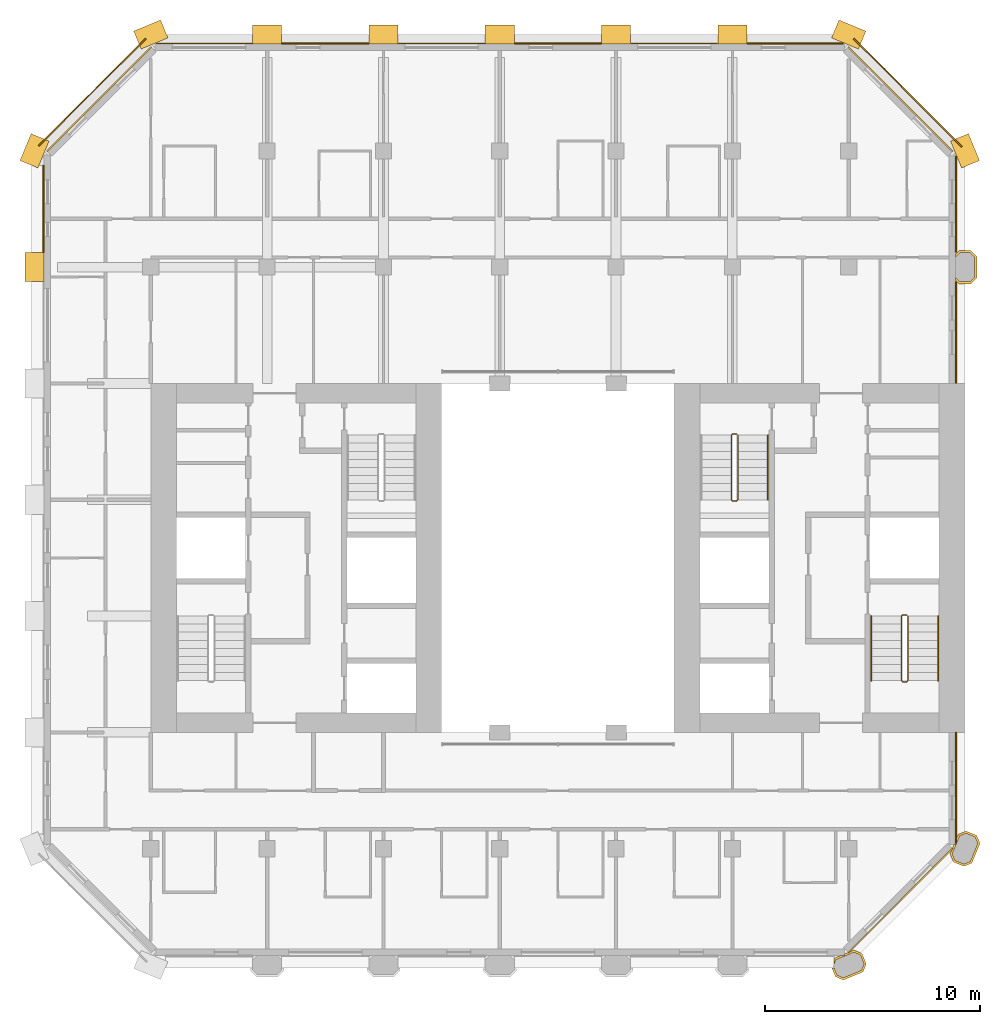
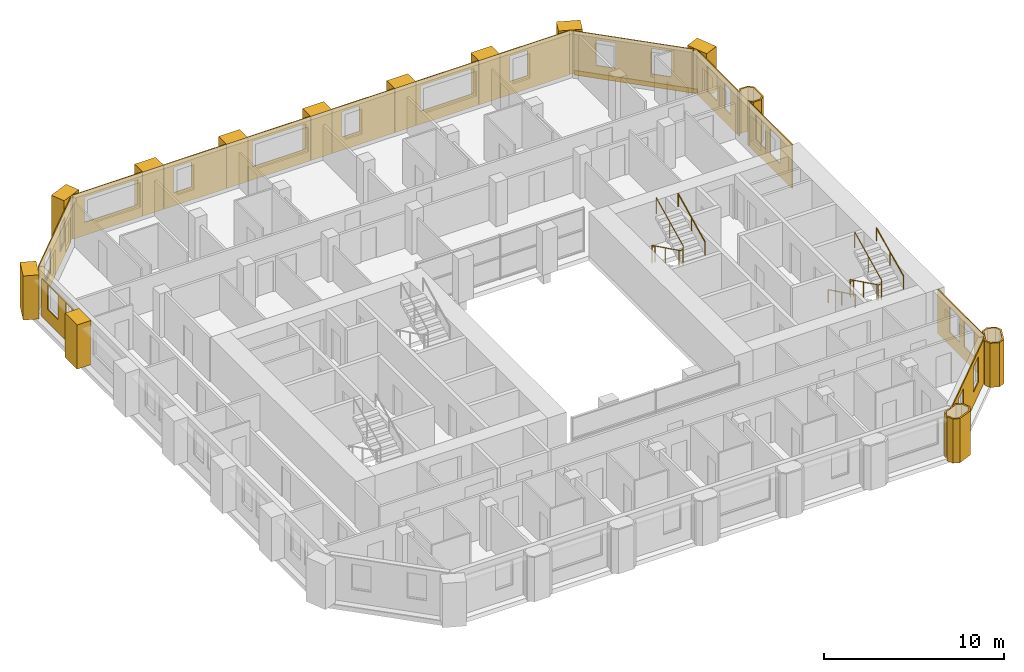
# One storey, part 13 of 13: 28 coverings, 5 railings.
"""IFC4 building model written with IfcOpenShell, lengths in metres."""

from ifc_helpers import new_model, si_unit, direction, frame, frame_2d, origin, origin_2d, place, context, subcontext, project, spatial, polyline, rectangle, circle, outline, extrude, material, layer, layer_set, type_object, element, save


model = new_model("IFC4")

# Units and contexts
model_context = context("Model", 3, precision=1e-05, world=origin(), true_north=direction((0.0, 1.0)))
body_context = subcontext(model_context, "Body", "Model", "MODEL_VIEW")
ifc_project = project(units=[si_unit("LENGTHUNIT", "METRE"), si_unit("AREAUNIT", "SQUARE_METRE"), si_unit("VOLUMEUNIT", "CUBIC_METRE"), si_unit("PLANEANGLEUNIT", "RADIAN"), si_unit("MASSUNIT", "GRAM", prefix="KILO")], contexts=[model_context])

# Site, building, storey
site_placement = place(None, origin())
site = spatial("IfcSite", under=ifc_project, at=site_placement, CompositionType="ELEMENT")
building_placement = place(site_placement, origin())
building = spatial("IfcBuilding", under=site, at=building_placement, Name="Tabaq Tower and Sports Hall", CompositionType="ELEMENT")
storey_placement = place(building_placement, frame((0.0, 0.0, 210.39990234375)))
storey = spatial("IfcBuildingStorey", under=building, at=storey_placement, Name="L52", CompositionType="ELEMENT", Elevation=210.39990234375)

# Coverings
ifc_material_1 = material(Name="Precast concrete C60/75", Category="concrete")
ifc_layer_1 = layer(ifc_material_1, 0.10009765625)
ifc_layer_set_1 = layer_set([ifc_layer_1], Name="Column cladding 100")
covering_type_1 = type_object("IfcCoveringType", Name="Column cladding 100", PredefinedType="CLADDING", material=ifc_layer_set_1)
covering_1_placement = place(storey_placement, origin())
element("IfcCovering", 1, at=covering_1_placement, inside=storey, type_object=covering_type_1, Name="Column cladding L52 PC-8B-H3", PredefinedType="CLADDING", context=body_context, shape_type="SweptSolid", body=[
    extrude(outline(polyline([(37.023681640625, 5.249755859375), (37.125244140625, 5.249755859375), (37.125244140625, 5.26416015625), (37.26220703125, 4.93359375), (37.556396484375, 4.811767578125), (38.38818359375, 5.15625), (38.510009765625, 5.450439453125), (38.337646484375, 5.866455078125), (38.04345703125, 5.98828125), (37.2119140625, 5.643798828125), (37.125244140625, 5.434814453125), (37.125244140625, 5.694580078125), (37.1357421875, 5.7197265625), (37.44921875, 5.849609375), (37.614013671875, 5.849609375), (37.614013671875, 5.91796875), (37.767578125, 5.9814453125), (37.799072265625, 5.9501953125), (37.875, 6.026123046875), (38.04345703125, 6.095947265625), (38.413818359375, 5.9423828125), (38.61767578125, 5.450439453125), (38.46435546875, 5.080078125), (37.556396484375, 4.7041015625), (37.186279296875, 4.857421875), (37.023681640625, 5.249755859375)])), origin(), (0.0, 0.0, 1.0), 3.0),
])
covering_2_placement = place(storey_placement, origin())
element("IfcCovering", 2, at=covering_2_placement, inside=storey, type_object=covering_type_1, Name="Column cladding L52 PC-9C-H3", PredefinedType="CLADDING", context=body_context, shape_type="SweptSolid", body=[
    extrude(outline(polyline([(42.657470703125, 10.186279296875), (42.504150390625, 10.556396484375), (42.573974609375, 10.72509765625), (42.64990234375, 10.801025390625), (42.618408203125, 10.83251953125), (42.68212890625, 10.986083984375), (42.750244140625, 10.986083984375), (42.750244140625, 11.04296875), (42.810302734375, 11.04296875), (42.810302734375, 11.295654296875), (42.880126953125, 11.46435546875), (43.25048828125, 11.61767578125), (43.742431640625, 11.413818359375), (43.895751953125, 11.04345703125), (43.519775390625, 10.1357421875), (43.149658203125, 9.982421875), (42.657470703125, 10.186279296875)]), holes=[polyline([(43.66650390625, 11.337646484375), (43.25048828125, 11.510009765625), (42.956298828125, 11.38818359375), (42.61181640625, 10.556396484375), (42.733642578125, 10.26220703125), (43.149658203125, 10.08984375), (43.44384765625, 10.2119140625), (43.788330078125, 11.04345703125), (43.66650390625, 11.337646484375)])]), origin(), (0.0, 0.0, 1.0), 3.0),
])
covering_3_placement = place(storey_placement, origin())
element("IfcCovering", 3, at=covering_3_placement, inside=storey, type_object=covering_type_1, Name="Column cladding L52 PC-9H-H3", PredefinedType="CLADDING", context=body_context, shape_type="SweptSolid", body=[
    extrude(outline(polyline([(42.93359375, 37.025390625), (42.750244140625, 37.208740234375), (42.750244140625, 37.349365234375), (42.974853515625, 37.124755859375), (43.425048828125, 37.124755859375), (43.650390625, 37.349853515625), (43.650390625, 38.250244140625), (43.425048828125, 38.475341796875), (42.974853515625, 38.475341796875), (42.750244140625, 38.250732421875), (42.750244140625, 38.391357421875), (42.93359375, 38.57470703125), (43.46630859375, 38.57470703125), (43.749755859375, 38.291259765625), (43.749755859375, 37.30859375), (43.46630859375, 37.025390625), (42.93359375, 37.025390625)])), origin(), (0.0, 0.0, 1.0), 3.0),
])
ifc_material_2 = material(Name="Precast concrete C60/75", Category="concrete")
ifc_layer_2 = layer(ifc_material_2, 0.06005859375)
ifc_layer_set_2 = layer_set([ifc_layer_2], Name="Edge beam cladding 60")
covering_type_2 = type_object("IfcCoveringType", Name="Edge beam cladding 60", PredefinedType="CLADDING", material=ifc_layer_set_2)
covering_4_placement = place(storey_placement, frame((43.04443359375, 43.39794921875, -0.2998046875), z_axis=(0.0, 0.0, 1.0), x_axis=(-0.707106781187, 0.707106781187, 0.0)))
element("IfcCovering", 4, at=covering_4_placement, inside=storey, type_object=covering_type_2, Name="Edge beam cladding L52 1", PredefinedType="CLADDING", context=body_context, shape_type="SweptSolid", body=[
    extrude(rectangle(XDim=7.08837890625, YDim=0.06005859375, at=frame_2d((3.544189453125, 0.0))), origin(), (0.0, 0.0, 1.0), 0.2998046875),
])
covering_5_placement = place(storey_placement, frame((5.167724609375, 48.41015625, -0.2998046875), z_axis=(0.0, 0.0, 1.0), x_axis=(-0.707106781187, -0.707106781187, 0.0)))
element("IfcCovering", 5, at=covering_5_placement, inside=storey, type_object=covering_type_2, Name="Edge beam cladding L52 3", PredefinedType="CLADDING", context=body_context, shape_type="SweptSolid", body=[
    extrude(rectangle(XDim=7.03955078125, YDim=0.06005859375, at=frame_2d((3.519775390625, 0.0))), origin(), (0.0, 0.0, 1.0), 0.2998046875),
])
ifc_material_3 = material(Name="White precast concrete C60/75", Category="concrete")
covering_type_3 = type_object("IfcCoveringType", Name="Pier cladding hung 1350x900", PredefinedType="CLADDING", material=ifc_material_3)
for number, where, z_axis, x_axis, name in (
    (6, (0.0, 38.47509765625, 0.0), (0.0, 0.0, 1.0), (0.0, -1.0, 0.0), "Hung pier cladding 0/7"),
    (7, (0.25830078125, 43.82373046875, 0.0), (0.0, 0.0, 1.0), (-0.382649923473, -0.923893411637, 0.0), "Hung pier cladding 0/8"),
    (8, (6.023681640625, 48.8583984375, 0.0), (0.0, 0.0, 1.0), (-0.923893411637, -0.382649923473, 0.0), "Hung pier cladding 1/9"),
    (9, (11.47509765625, 48.60009765625, 0.0), (0.0, 0.0, 1.0), (-1.0, 0.0, 0.0), "Hung pier cladding 2/9"),
    (10, (16.875, 48.60009765625, 0.0), (0.0, 0.0, 1.0), (-1.0, 0.0, 0.0), "Hung pier cladding 3/9"),
):
    element("IfcCovering", number, at=place(storey_placement, frame(where, z_axis=z_axis, x_axis=x_axis)), inside=storey, type_object=covering_type_3, Name=name, PredefinedType="CLADDING", context=body_context, shape_type="SweptSolid", body=[
        extrude(rectangle(XDim=1.35009765625, YDim=0.89990234375, at=frame_2d((0.675048828125, 0.0))), origin(), (0.0, 0.0, 1.0), 3.0),
    ])
covering_6_placement = place(storey_placement, frame((22.27490234375, 48.60009765625, 0.0), z_axis=(0.0, 0.0, 1.0), x_axis=(-1.0, 0.0, 0.0)))
element("IfcCovering", 11, at=covering_6_placement, inside=storey, type_object=covering_type_3, Name="Hung pier cladding 4/9", PredefinedType="CLADDING", context=body_context, shape_type="SweptSolid", body=[
    extrude(rectangle(XDim=1.349853515625, YDim=0.89990234375, at=frame_2d((0.6748046875, 0.0))), origin(), (0.0, 0.0, 1.0), 3.0),
])
covering_7_placement = place(storey_placement, frame((27.675048828125, 48.60009765625, 0.0), z_axis=(0.0, 0.0, 1.0), x_axis=(-1.0, 0.0, 0.0)))
element("IfcCovering", 12, at=covering_7_placement, inside=storey, type_object=covering_type_3, Name="Hung pier cladding 5/9", PredefinedType="CLADDING", context=body_context, shape_type="SweptSolid", body=[
    extrude(rectangle(XDim=1.35009765625, YDim=0.89990234375, at=frame_2d((0.675048828125, 0.0))), origin(), (0.0, 0.0, 1.0), 3.0),
])
covering_8_placement = place(storey_placement, frame((33.074951171875, 48.60009765625, 0.0), z_axis=(0.0, 0.0, 1.0), x_axis=(-1.0, 0.0, 0.0)))
element("IfcCovering", 13, at=covering_8_placement, inside=storey, type_object=covering_type_3, Name="Hung pier cladding 6/9", PredefinedType="CLADDING", context=body_context, shape_type="SweptSolid", body=[
    extrude(rectangle(XDim=1.349853515625, YDim=0.89990234375, at=frame_2d((0.6748046875, 0.0))), origin(), (0.0, 0.0, 1.0), 3.0),
])
for number, where, z_axis, x_axis, name in (
    (14, (38.423583984375, 48.341796875, 0.0), (0.0, 0.0, 1.0), (-0.923893411637, 0.382649923473, 0.0), "Hung pier cladding 7/9"),
    (15, (43.458251953125, 42.576416015625, 0.0), (0.0, 0.0, 1.0), (-0.382649923473, 0.923893411637, 0.0), "Hung pier cladding 8/8"),
):
    element("IfcCovering", number, at=place(storey_placement, frame(where, z_axis=z_axis, x_axis=x_axis)), inside=storey, type_object=covering_type_3, Name=name, PredefinedType="CLADDING", context=body_context, shape_type="SweptSolid", body=[
        extrude(rectangle(XDim=1.35009765625, YDim=0.89990234375, at=frame_2d((0.675048828125, 0.0))), origin(), (0.0, 0.0, 1.0), 3.0),
    ])

# Railings
ifc_material_4 = material(Name="Stainless steel", Category="steel")
railing_type_1 = type_object("IfcRailingType", Name="Stair guard", PredefinedType="GUARDRAIL", material=ifc_material_4)
railing_1_placement = place(storey_placement, frame((40.5, 21.64990234375, 0.0)))
element("IfcRailing", 16, at=railing_1_placement, inside=storey, type_object=railing_type_1, Name="L52 ST3 stair guard 1", PredefinedType="GUARDRAIL", context=body_context, shape_type="SweptSolid", body=[
    extrude(circle(Radius=0.02392578125, at=origin_2d()), frame((0.0, 0.0, 1.076171875), z_axis=(-1.0, 0.0, 0.0), x_axis=(0.0, -1.0, 0.0)), (0.0, 0.0, 1.0), 0.199951171875),
    extrude(circle(Radius=0.02392578125, at=origin_2d()), frame((-0.199951171875, 0.0, 1.076171875), z_axis=(-0.254733673405, -0.25349107012, 0.933195066962), x_axis=(0.705375805398, -0.708833529934, 0.0)), (0.0, 0.0, 1.0), 0.196533203125),
    extrude(circle(Radius=0.02392578125, at=origin_2d()), frame((-0.25, -0.0498046875, 1.25927734375), z_axis=(0.0, -0.898368975038, 0.439241601728), x_axis=(1.0, 0.0, 0.0)), (0.0, 0.0, 1.0), 3.33935546875),
    extrude(circle(Radius=0.02392578125, at=origin_2d()), frame((-0.25, -3.0498046875, 2.72607421875), z_axis=(0.707106781187, -0.707106781187, 0.0), x_axis=(0.707106781187, 0.707106781187, 0.0)), (0.0, 0.0, 1.0), 0.07080078125),
    extrude(circle(Radius=0.02392578125, at=origin_2d()), frame((-0.199951171875, -3.099853515625, 2.72607421875), z_axis=(1.0, 0.0, 0.0), x_axis=(0.0, 1.0, 0.0)), (0.0, 0.0, 1.0), 0.199951171875),
    extrude(circle(Radius=0.02392578125, at=origin_2d()), frame((0.0, -3.099853515625, 2.72607421875), z_axis=(0.254653276557, 0.254653276557, 0.932900539971), x_axis=(-0.707106781187, 0.707106781187, 0.0)), (0.0, 0.0, 1.0), 0.196533203125),
    extrude(circle(Radius=0.02392578125, at=origin_2d()), frame((0.050048828125, -3.0498046875, 2.90966796875), z_axis=(0.0, 0.898397823093, 0.439182594671), x_axis=(-1.0, 0.0, 0.0)), (0.0, 0.0, 1.0), 3.33935546875),
    extrude(circle(Radius=0.02099609375, at=origin_2d()), origin(), (0.0, 0.0, 1.0), 1.052001953125),
    extrude(circle(Radius=0.02099609375, at=origin_2d()), frame((-0.199951171875, 0.0, 0.0)), (0.0, 0.0, 1.0), 1.052001953125),
    extrude(circle(Radius=0.02099609375, at=origin_2d()), frame((-0.25, -0.0498046875, 0.183349609375)), (0.0, 0.0, 1.0), 1.052001953125),
    extrude(circle(Radius=0.02099609375, at=origin_2d()), frame((-0.25, -1.5498046875, 0.916748046875)), (0.0, 0.0, 1.0), 1.052001953125),
    extrude(circle(Radius=0.02099609375, at=origin_2d()), frame((-0.25, -3.0498046875, 1.650146484375)), (0.0, 0.0, 1.0), 1.052001953125),
    extrude(circle(Radius=0.02099609375, at=origin_2d()), frame((-0.199951171875, -3.099853515625, 1.650146484375)), (0.0, 0.0, 1.0), 1.052001953125),
    extrude(circle(Radius=0.02099609375, at=origin_2d()), frame((0.0, -3.099853515625, 1.650146484375)), (0.0, 0.0, 1.0), 1.052001953125),
    extrude(circle(Radius=0.02099609375, at=origin_2d()), frame((0.050048828125, -3.0498046875, 1.83349609375)), (0.0, 0.0, 1.0), 1.052001953125),
    extrude(circle(Radius=0.02099609375, at=origin_2d()), frame((0.050048828125, -1.5498046875, 2.56689453125)), (0.0, 0.0, 1.0), 1.052001953125),
    extrude(circle(Radius=0.02099609375, at=origin_2d()), frame((0.050048828125, -0.0498046875, 3.300048828125)), (0.0, 0.0, 1.0), 1.052001953125),
])
railing_2_placement = place(storey_placement, frame((32.60009765625, 30.050048828125, 0.0)))
element("IfcRailing", 17, at=railing_2_placement, inside=storey, type_object=railing_type_1, Name="L52 ST4 stair guard 1", PredefinedType="GUARDRAIL", context=body_context, shape_type="SweptSolid", body=[
    extrude(circle(Radius=0.02392578125, at=origin_2d()), frame((0.0, 0.0, 1.076171875), z_axis=(-1.0, 0.0, 0.0), x_axis=(0.0, -1.0, 0.0)), (0.0, 0.0, 1.0), 0.2001953125),
    extrude(circle(Radius=0.02392578125, at=origin_2d()), frame((-0.2001953125, 0.0, 1.076171875), z_axis=(-0.25349107012, -0.254733673405, 0.933195066962), x_axis=(0.708833529934, -0.705375805398, 0.0)), (0.0, 0.0, 1.0), 0.196533203125),
    extrude(circle(Radius=0.02392578125, at=origin_2d()), frame((-0.25, -0.050048828125, 1.25927734375), z_axis=(0.0, -0.898368975038, 0.439241601728), x_axis=(1.0, 0.0, 0.0)), (0.0, 0.0, 1.0), 3.33935546875),
    extrude(circle(Radius=0.02392578125, at=origin_2d()), frame((-0.25, -3.050048828125, 2.72607421875), z_axis=(0.705375805398, -0.708833529934, 0.0), x_axis=(0.708833529934, 0.705375805398, 0.0)), (0.0, 0.0, 1.0), 0.070556640625),
    extrude(circle(Radius=0.02392578125, at=origin_2d()), frame((-0.2001953125, -3.10009765625, 2.72607421875), z_axis=(1.0, 0.0, 0.0), x_axis=(0.0, 1.0, 0.0)), (0.0, 0.0, 1.0), 0.2001953125),
    extrude(circle(Radius=0.02392578125, at=origin_2d()), frame((0.0, -3.10009765625, 2.72607421875), z_axis=(0.25349107012, 0.254733673405, 0.933195066962), x_axis=(-0.708833529934, 0.705375805398, 0.0)), (0.0, 0.0, 1.0), 0.196533203125),
    extrude(circle(Radius=0.02392578125, at=origin_2d()), frame((0.0498046875, -3.050048828125, 2.90966796875), z_axis=(0.0, 0.898397823093, 0.439182594671), x_axis=(-1.0, 0.0, 0.0)), (0.0, 0.0, 1.0), 3.33935546875),
    extrude(circle(Radius=0.02099609375, at=origin_2d()), origin(), (0.0, 0.0, 1.0), 1.052001953125),
    extrude(circle(Radius=0.02099609375, at=origin_2d()), frame((-0.2001953125, 0.0, 0.0)), (0.0, 0.0, 1.0), 1.052001953125),
    extrude(circle(Radius=0.02099609375, at=origin_2d()), frame((-0.25, -0.050048828125, 0.183349609375)), (0.0, 0.0, 1.0), 1.052001953125),
    extrude(circle(Radius=0.02099609375, at=origin_2d()), frame((-0.25, -1.550048828125, 0.916748046875)), (0.0, 0.0, 1.0), 1.052001953125),
    extrude(circle(Radius=0.02099609375, at=origin_2d()), frame((-0.25, -3.050048828125, 1.650146484375)), (0.0, 0.0, 1.0), 1.052001953125),
    extrude(circle(Radius=0.02099609375, at=origin_2d()), frame((-0.2001953125, -3.10009765625, 1.650146484375)), (0.0, 0.0, 1.0), 1.052001953125),
    extrude(circle(Radius=0.02099609375, at=origin_2d()), frame((0.0, -3.10009765625, 1.650146484375)), (0.0, 0.0, 1.0), 1.052001953125),
    extrude(circle(Radius=0.02099609375, at=origin_2d()), frame((0.0498046875, -3.050048828125, 1.83349609375)), (0.0, 0.0, 1.0), 1.052001953125),
    extrude(circle(Radius=0.02099609375, at=origin_2d()), frame((0.0498046875, -1.550048828125, 2.56689453125)), (0.0, 0.0, 1.0), 1.052001953125),
    extrude(circle(Radius=0.02099609375, at=origin_2d()), frame((0.0498046875, -0.050048828125, 3.300048828125)), (0.0, 0.0, 1.0), 1.052001953125),
])
ifc_material_5 = material(Name="Stainless steel", Category="steel")
railing_type_2 = type_object("IfcRailingType", Name="Stair handrail", PredefinedType="HANDRAIL", material=ifc_material_5)
railing_3_placement = place(storey_placement, frame((38.85009765625, 21.60009765625, 0.183349609375)))
element("IfcRailing", 18, at=railing_3_placement, inside=storey, type_object=railing_type_2, Name="L52 ST3 stair handrail 1", PredefinedType="HANDRAIL", context=body_context, shape_type="SweptSolid", body=[
    extrude(circle(Radius=0.02392578125, at=origin_2d()), frame((0.0, 0.0, 0.8759765625), z_axis=(0.0, -0.898368975038, 0.439241601728), x_axis=(1.0, 0.0, 0.0)), (0.0, 0.0, 1.0), 3.33935546875),
    extrude(circle(Radius=0.02099609375, at=origin_2d()), origin(), (0.0, 0.0, 1.0), 0.851806640625),
    extrude(circle(Radius=0.02099609375, at=origin_2d()), frame((0.0, -1.5, 0.7333984375)), (0.0, 0.0, 1.0), 0.851806640625),
    extrude(circle(Radius=0.02099609375, at=origin_2d()), frame((0.0, -3.0, 1.466796875)), (0.0, 0.0, 1.0), 0.851806640625),
])
for number, where, name in (
    (19, (41.949951171875, 18.60009765625, 1.83349609375), "L52 ST3 stair handrail 2"),
    (20, (34.050048828125, 27.0, 1.83349609375), "L52 ST4 stair handrail 2"),
):
    element("IfcRailing", number, at=place(storey_placement, frame(where)), inside=storey, type_object=railing_type_2, Name=name, PredefinedType="HANDRAIL", context=body_context, shape_type="SweptSolid", body=[
        extrude(circle(Radius=0.02392578125, at=origin_2d()), frame((0.0, 0.0, 0.8759765625), z_axis=(0.0, 0.898397823093, 0.439182594671), x_axis=(-1.0, 0.0, 0.0)), (0.0, 0.0, 1.0), 3.33935546875),
        extrude(circle(Radius=0.02099609375, at=origin_2d()), origin(), (0.0, 0.0, 1.0), 0.851806640625),
        extrude(circle(Radius=0.02099609375, at=origin_2d()), frame((0.0, 1.5, 0.7333984375)), (0.0, 0.0, 1.0), 0.851806640625),
        extrude(circle(Radius=0.02099609375, at=origin_2d()), frame((0.0, 3.0, 1.466552734375)), (0.0, 0.0, 1.0), 0.851806640625),
    ])

# Coverings
ifc_material_6 = material(Name="Precast concrete C60/75", Category="concrete")
ifc_layer_3 = layer(ifc_material_6, 0.06005859375)
ifc_layer_set_3 = layer_set([ifc_layer_3], Name="White precast cladding panel 60 C60/75")
covering_type_4 = type_object("IfcCoveringType", Name="White precast cladding panel 60 C60/75", PredefinedType="CLADDING", material=ifc_layer_set_3)
covering_9_placement = place(storey_placement, frame((37.77783203125, 5.9716796875, 0.0), z_axis=(0.0, 0.0, 1.0), x_axis=(0.707088985397, 0.707124576528, 0.0)))
element("IfcCovering", 21, at=covering_9_placement, inside=storey, type_object=covering_type_4, Name="White precast cladding panel L52 wall01", PredefinedType="CLADDING", context=body_context, shape_type="SweptSolid", body=[
    extrude(outline(polyline([(0.0, 0.0), (6.859619140625, 0.0), (6.859619140625, 3.0), (0.0, 3.0), (0.0, 0.0)]), holes=[polyline([(1.269775390625, 2.610107421875), (2.389892578125, 2.610107421875), (2.389892578125, 0.89013671875), (1.269775390625, 0.89013671875), (1.269775390625, 2.610107421875)]), polyline([(4.4697265625, 2.610107421875), (5.58984375, 2.610107421875), (5.58984375, 0.89013671875), (4.4697265625, 0.89013671875), (4.4697265625, 2.610107421875)])]), frame((0.0, 0.030029296875, 0.0), z_axis=(0.0, -1.0, 0.0), x_axis=(1.0, 0.0, 0.0)), (0.0, 0.0, 1.0), 0.06005859375),
])
covering_10_placement = place(storey_placement, frame((42.780029296875, 11.043212890625, 0.0), z_axis=(0.0, 0.0, 1.0), x_axis=(0.0, 1.0, 0.0)))
element("IfcCovering", 22, at=covering_10_placement, inside=storey, type_object=covering_type_4, Name="White precast cladding panel L52 wall02", PredefinedType="CLADDING", context=body_context, shape_type="SweptSolid", body=[
    extrude(outline(polyline([(0.0, 0.0), (5.15673828125, 0.0), (5.15673828125, 3.0), (0.0, 3.0), (0.0, 0.0)]), holes=[polyline([(1.096923828125, 2.610107421875), (2.216796875, 2.610107421875), (2.216796875, 0.89013671875), (1.096923828125, 0.89013671875), (1.096923828125, 2.610107421875)]), polyline([(2.69677734375, 2.610107421875), (3.81689453125, 2.610107421875), (3.81689453125, 0.89013671875), (2.69677734375, 0.89013671875), (2.69677734375, 2.610107421875)])]), frame((0.0, 0.030029296875, 0.0), z_axis=(0.0, -1.0, 0.0), x_axis=(1.0, 0.0, 0.0)), (0.0, 0.0, 1.0), 0.06005859375),
])
covering_11_placement = place(storey_placement, frame((42.780029296875, 32.39990234375, 0.0), z_axis=(0.0, 0.0, 1.0), x_axis=(0.0, 1.0, 0.0)))
element("IfcCovering", 23, at=covering_11_placement, inside=storey, type_object=covering_type_4, Name="White precast cladding panel L52 wall02-1", PredefinedType="CLADDING", context=body_context, shape_type="SweptSolid", body=[
    extrude(outline(polyline([(0.0, 0.0), (4.715087890625, 0.0), (4.715087890625, 3.0), (0.0, 3.0), (0.0, 0.0)]), holes=[polyline([(1.340087890625, 2.610107421875), (2.4599609375, 2.610107421875), (2.4599609375, 0.89013671875), (1.340087890625, 0.89013671875), (1.340087890625, 2.610107421875)]), polyline([(2.93994140625, 2.610107421875), (4.06005859375, 2.610107421875), (4.06005859375, 0.89013671875), (2.93994140625, 0.89013671875), (2.93994140625, 2.610107421875)])]), frame((0.0, 0.030029296875, 0.0), z_axis=(0.0, -1.0, 0.0), x_axis=(1.0, 0.0, 0.0)), (0.0, 0.0, 1.0), 0.06005859375),
])
covering_12_placement = place(storey_placement, frame((42.780029296875, 38.485107421875, 0.0), z_axis=(0.0, 0.0, 1.0), x_axis=(0.0, 1.0, 0.0)))
element("IfcCovering", 24, at=covering_12_placement, inside=storey, type_object=covering_type_4, Name="White precast cladding panel L52 wall02-1 2", PredefinedType="CLADDING", context=body_context, shape_type="SweptSolid", body=[
    extrude(outline(polyline([(0.0, 0.0), (4.4716796875, 0.0), (4.4716796875, 3.0), (0.0, 3.0), (0.0, 0.0)]), holes=[polyline([(0.72998046875, 2.610107421875), (1.39990234375, 2.610107421875), (1.39990234375, 0.89013671875), (0.72998046875, 0.89013671875), (0.72998046875, 2.610107421875)]), polyline([(2.2548828125, 2.610107421875), (3.375, 2.610107421875), (3.375, 0.89013671875), (2.2548828125, 0.89013671875), (2.2548828125, 2.610107421875)])]), frame((0.0, 0.030029296875, 0.0), z_axis=(0.0, -1.0, 0.0), x_axis=(1.0, 0.0, 0.0)), (0.0, 0.0, 1.0), 0.06005859375),
])
covering_13_placement = place(storey_placement, frame((42.628173828125, 43.177734375, 0.0), z_axis=(0.0, 0.0, 1.0), x_axis=(-0.707088985397, 0.707124576528, 0.0)))
element("IfcCovering", 25, at=covering_13_placement, inside=storey, type_object=covering_type_4, Name="White precast cladding panel L52 wall03", PredefinedType="CLADDING", context=body_context, shape_type="SweptSolid", body=[
    extrude(outline(polyline([(0.0, 0.0), (6.859619140625, 0.0), (6.859619140625, 3.0), (0.0, 3.0), (0.0, 0.0)]), holes=[polyline([(1.269775390625, 2.610107421875), (2.389892578125, 2.610107421875), (2.389892578125, 0.89013671875), (1.269775390625, 0.89013671875), (1.269775390625, 2.610107421875)]), polyline([(4.4697265625, 2.610107421875), (5.58984375, 2.610107421875), (5.58984375, 0.89013671875), (4.4697265625, 0.89013671875), (4.4697265625, 2.610107421875)])]), frame((0.0, 0.030029296875, 0.0), z_axis=(0.0, -1.0, 0.0), x_axis=(1.0, 0.0, 0.0)), (0.0, 0.0, 1.0), 0.06005859375),
])
covering_14_placement = place(storey_placement, frame((37.556884765625, 48.179931640625, 0.0), z_axis=(0.0, 0.0, 1.0), x_axis=(-1.0, 0.0, 0.0)))
element("IfcCovering", 26, at=covering_14_placement, inside=storey, type_object=covering_type_4, Name="White precast cladding panel L52 wall04", PredefinedType="CLADDING", context=body_context, shape_type="SweptSolid", body=[
    extrude(outline(polyline([(0.0, 0.0), (4.471923828125, 0.0), (4.471923828125, 3.0), (0.0, 3.0), (0.0, 0.0)]), holes=[polyline([(2.69677734375, 0.89013671875), (2.69677734375, 2.610107421875), (3.81689453125, 2.610107421875), (3.81689453125, 0.89013671875), (2.69677734375, 0.89013671875)])]), frame((0.0, 0.030029296875, 0.0), z_axis=(0.0, -1.0, 0.0), x_axis=(1.0, 0.0, 0.0)), (0.0, 0.0, 1.0), 0.06005859375),
])
covering_15_placement = place(storey_placement, frame((31.715087890625, 48.179931640625, 0.0), z_axis=(0.0, 0.0, 1.0), x_axis=(-1.0, 0.0, 0.0)))
element("IfcCovering", 27, at=covering_15_placement, inside=storey, type_object=covering_type_4, Name="White precast cladding panel L52 wall04 2", PredefinedType="CLADDING", context=body_context, shape_type="SweptSolid", body=[
    extrude(outline(polyline([(0.0, 0.0), (4.030029296875, 0.0), (4.030029296875, 3.0), (0.0, 3.0), (0.0, 0.0)]), holes=[polyline([(0.304931640625, 0.89013671875), (0.304931640625, 2.610107421875), (3.72509765625, 2.610107421875), (3.72509765625, 0.89013671875), (0.304931640625, 0.89013671875)])]), frame((0.0, 0.030029296875, 0.0), z_axis=(0.0, -1.0, 0.0), x_axis=(1.0, 0.0, 0.0)), (0.0, 0.0, 1.0), 0.06005859375),
])
covering_16_placement = place(storey_placement, frame((26.31494140625, 48.179931640625, 0.0), z_axis=(0.0, 0.0, 1.0), x_axis=(-1.0, 0.0, 0.0)))
element("IfcCovering", 28, at=covering_16_placement, inside=storey, type_object=covering_type_4, Name="White precast cladding panel L52 wall04 3", PredefinedType="CLADDING", context=body_context, shape_type="SweptSolid", body=[
    extrude(outline(polyline([(0.0, 0.0), (4.030029296875, 0.0), (4.030029296875, 3.0), (0.0, 3.0), (0.0, 0.0)]), holes=[polyline([(2.2548828125, 0.89013671875), (2.2548828125, 2.610107421875), (3.375, 2.610107421875), (3.375, 0.89013671875), (2.2548828125, 0.89013671875)])]), frame((0.0, 0.030029296875, 0.0), z_axis=(0.0, -1.0, 0.0), x_axis=(1.0, 0.0, 0.0)), (0.0, 0.0, 1.0), 0.06005859375),
])
covering_17_placement = place(storey_placement, frame((20.9150390625, 48.179931640625, 0.0), z_axis=(0.0, 0.0, 1.0), x_axis=(-1.0, 0.0, 0.0)))
element("IfcCovering", 29, at=covering_17_placement, inside=storey, type_object=covering_type_4, Name="White precast cladding panel L52 wall04 4", PredefinedType="CLADDING", context=body_context, shape_type="SweptSolid", body=[
    extrude(outline(polyline([(0.0, 0.0), (4.030029296875, 0.0), (4.030029296875, 3.0), (0.0, 3.0), (0.0, 0.0)]), holes=[polyline([(0.304931640625, 0.89013671875), (0.304931640625, 2.610107421875), (3.72509765625, 2.610107421875), (3.72509765625, 0.89013671875), (0.304931640625, 0.89013671875)])]), frame((0.0, 0.030029296875, 0.0), z_axis=(0.0, -1.0, 0.0), x_axis=(1.0, 0.0, 0.0)), (0.0, 0.0, 1.0), 0.06005859375),
])
covering_18_placement = place(storey_placement, frame((15.514892578125, 48.179931640625, 0.0), z_axis=(0.0, 0.0, 1.0), x_axis=(-1.0, 0.0, 0.0)))
element("IfcCovering", 30, at=covering_18_placement, inside=storey, type_object=covering_type_4, Name="White precast cladding panel L52 wall04 5", PredefinedType="CLADDING", context=body_context, shape_type="SweptSolid", body=[
    extrude(outline(polyline([(0.0, 0.0), (4.02978515625, 0.0), (4.02978515625, 3.0), (0.0, 3.0), (0.0, 0.0)]), holes=[polyline([(2.2548828125, 0.89013671875), (2.2548828125, 2.610107421875), (3.375, 2.610107421875), (3.375, 0.89013671875), (2.2548828125, 0.89013671875)])]), frame((0.0, 0.030029296875, 0.0), z_axis=(0.0, -1.0, 0.0), x_axis=(1.0, 0.0, 0.0)), (0.0, 0.0, 1.0), 0.06005859375),
])
covering_19_placement = place(storey_placement, frame((10.114990234375, 48.179931640625, 0.0), z_axis=(0.0, 0.0, 1.0), x_axis=(-1.0, 0.0, 0.0)))
element("IfcCovering", 31, at=covering_19_placement, inside=storey, type_object=covering_type_4, Name="White precast cladding panel L52 wall04 6", PredefinedType="CLADDING", context=body_context, shape_type="SweptSolid", body=[
    extrude(outline(polyline([(0.0, 0.0), (4.471923828125, 0.0), (4.471923828125, 3.0), (0.0, 3.0), (0.0, 0.0)]), holes=[polyline([(0.304931640625, 0.89013671875), (0.304931640625, 2.610107421875), (3.72509765625, 2.610107421875), (3.72509765625, 0.89013671875), (0.304931640625, 0.89013671875)])]), frame((0.0, 0.030029296875, 0.0), z_axis=(0.0, -1.0, 0.0), x_axis=(1.0, 0.0, 0.0)), (0.0, 0.0, 1.0), 0.06005859375),
])
covering_20_placement = place(storey_placement, frame((5.42236328125, 48.0283203125, 0.0), z_axis=(0.0, 0.0, 1.0), x_axis=(-0.707106781187, -0.707106781187, 0.0)))
element("IfcCovering", 32, at=covering_20_placement, inside=storey, type_object=covering_type_4, Name="White precast cladding panel L52 wall05", PredefinedType="CLADDING", context=body_context, shape_type="SweptSolid", body=[
    extrude(outline(polyline([(0.0, 0.0), (6.85986328125, 0.0), (6.85986328125, 3.0), (0.0, 3.0), (0.0, 0.0)]), holes=[polyline([(1.269775390625, 2.610107421875), (2.389892578125, 2.610107421875), (2.389892578125, 0.89013671875), (1.269775390625, 0.89013671875), (1.269775390625, 2.610107421875)]), polyline([(4.4697265625, 2.610107421875), (5.58984375, 2.610107421875), (5.58984375, 0.89013671875), (4.4697265625, 0.89013671875), (4.4697265625, 2.610107421875)])]), frame((0.0, 0.030029296875, 0.0), z_axis=(0.0, -1.0, 0.0), x_axis=(1.0, 0.0, 0.0)), (0.0, 0.0, 1.0), 0.06005859375),
])
covering_21_placement = place(storey_placement, frame((0.419921875, 42.534912109375, 0.0), z_axis=(0.0, 0.0, 1.0), x_axis=(0.0, -1.0, 0.0)))
element("IfcCovering", 33, at=covering_21_placement, inside=storey, type_object=covering_type_4, Name="White precast cladding panel L52 wall06", PredefinedType="CLADDING", context=body_context, shape_type="SweptSolid", body=[
    extrude(outline(polyline([(0.0, 0.0), (4.0498046875, 0.0), (4.0498046875, 2.590087890625), (0.0, 2.590087890625), (0.0, 0.0)]), holes=[polyline([(0.675048828125, 0.89013671875), (0.675048828125, 2.56005859375), (1.794921875, 2.56005859375), (1.794921875, 0.89013671875), (0.675048828125, 0.89013671875)]), polyline([(2.64990234375, 0.89013671875), (2.64990234375, 2.56005859375), (3.320068359375, 2.56005859375), (3.320068359375, 0.89013671875), (2.64990234375, 0.89013671875)])]), frame((0.0, 0.030029296875, 0.0), z_axis=(0.0, -1.0, 0.0), x_axis=(1.0, 0.0, 0.0)), (0.0, 0.0, 1.0), 0.06005859375),
])

save(model, "model.ifc")
